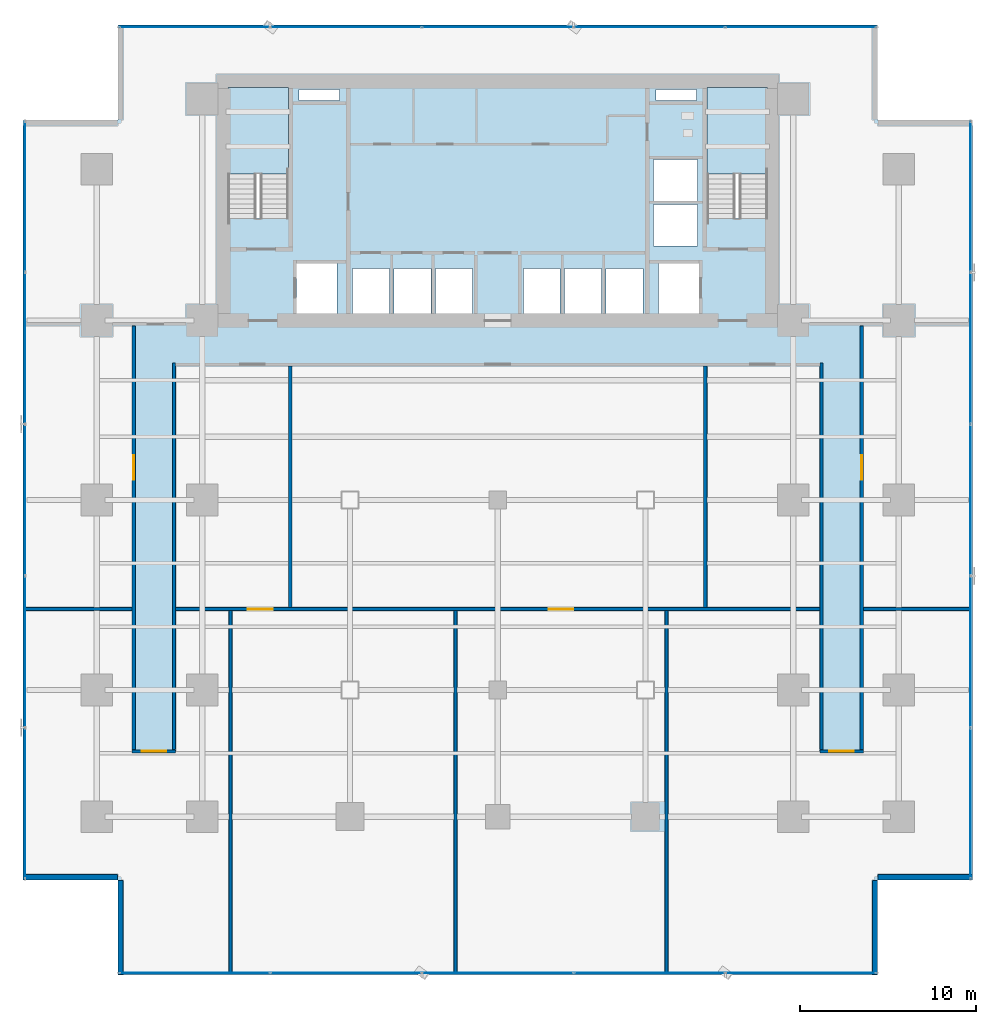
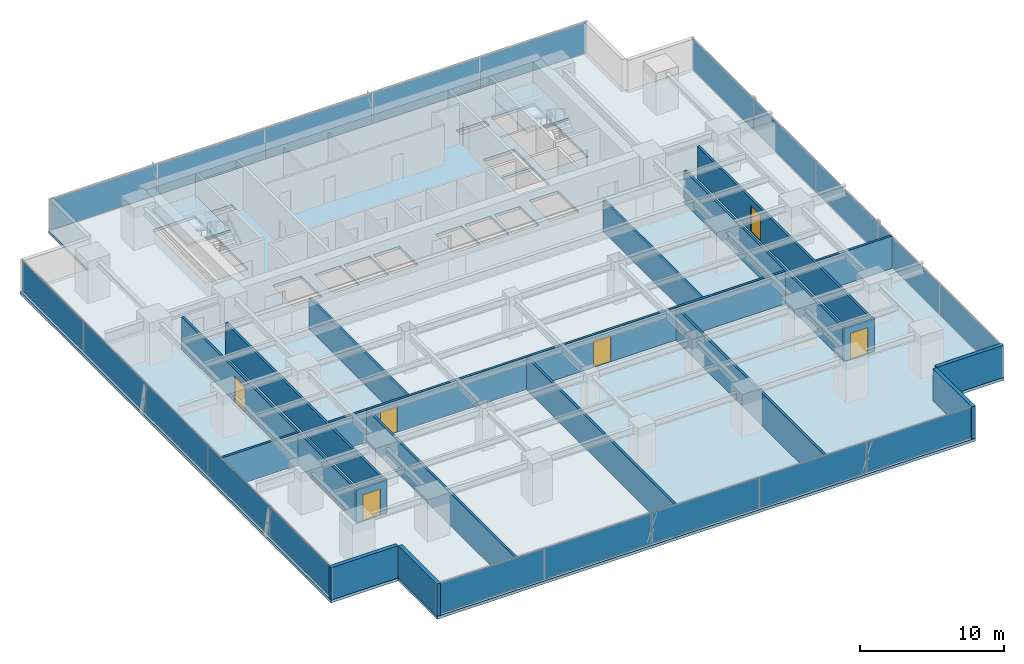
# One storey, part 24 of 33: 20 plates, 18 walls, 6 doors, 3 slabs, 6 openings, 6 elements without a shape of their own.
"""IFC4 building model written with IfcOpenShell, lengths in metres."""

from ifc_helpers import new_model, si_unit, direction, frame, frame_2d, origin, origin_2d, place, context, subcontext, project, spatial, polyline, rectangle, outline, extrude, source, transform, mapped, material, layer, layer_set, type_object, element, fill, aggregate, save


model = new_model("IFC4")

# Units and contexts
model_context = context("Model", 3, precision=1e-05, world=origin(), true_north=direction((0.0, 1.0)))
body_context = subcontext(model_context, "Body", "Model", "MODEL_VIEW")
ifc_project = project(units=[si_unit("LENGTHUNIT", "METRE"), si_unit("AREAUNIT", "SQUARE_METRE"), si_unit("VOLUMEUNIT", "CUBIC_METRE"), si_unit("PLANEANGLEUNIT", "RADIAN"), si_unit("MASSUNIT", "GRAM", prefix="KILO")], contexts=[model_context])

# Site, building, storey
site_placement = place(None, origin())
site = spatial("IfcSite", under=ifc_project, at=site_placement, CompositionType="ELEMENT")
building_placement = place(site_placement, origin())
building = spatial("IfcBuilding", under=site, at=building_placement, Name="Sumidabori Civic Tower", CompositionType="ELEMENT")
storey_placement = place(building_placement, frame((0.0, 0.0, 63.199951171875)))
storey = spatial("IfcBuildingStorey", under=building, at=storey_placement, Name="L16", CompositionType="ELEMENT", Elevation=63.199951171875)

# Stair, slab
ifc_material_1 = material(Name="Concrete C40/50", Category="concrete")
stair_type = type_object("IfcStairType", Name="ST-CORE-1600", PredefinedType="HALF_TURN_STAIR", material=ifc_material_1)
stair_1_placement = place(storey_placement, origin())
stair_1 = element("IfcStair", 1, at=stair_1_placement, inside=storey, type_object=stair_type, Name="L16 ST-1", PredefinedType="HALF_TURN_STAIR")
ifc_layer_1 = layer(ifc_material_1, 0.199951171875, Name="Concrete C40/50")
ifc_layer_set_1 = layer_set([ifc_layer_1], Name="Concrete C40/50")
slab_type_1 = type_object("IfcSlabType", Name="SL-LAND-200", PredefinedType="LANDING", material=ifc_layer_set_1)
slab_1_placement = place(storey_placement, frame((0.0, 0.0, 1.60009765625)))
slab_1 = element("IfcSlab", 2, at=slab_1_placement, type_object=slab_type_1, Name="ST-1 landing 1", PredefinedType="LANDING", context=body_context, shape_type="SweptSolid", body=[
    extrude(outline(polyline([(-11.89990234375, 18.52001953125), (-11.89990234375, 23.449951171875), (-15.340087890625, 23.449951171875), (-15.340087890625, 18.52001953125), (-11.89990234375, 18.52001953125)])), origin(), (0.0, 0.0, 1.0), 0.199951171875),
])
aggregate(stair_1, [slab_1])

stair_2_placement = place(storey_placement, origin())
stair_2 = element("IfcStair", 3, at=stair_2_placement, inside=storey, type_object=stair_type, Name="L16 ST-2", PredefinedType="HALF_TURN_STAIR")
slab_2_placement = place(storey_placement, frame((0.0, 0.0, 1.60009765625)))
slab_2 = element("IfcSlab", 4, at=slab_2_placement, type_object=slab_type_1, Name="ST-2 landing 1", PredefinedType="LANDING", context=body_context, shape_type="SweptSolid", body=[
    extrude(outline(polyline([(15.340087890625, 18.52001953125), (15.340087890625, 23.449951171875), (11.89990234375, 23.449951171875), (11.89990234375, 18.52001953125), (15.340087890625, 18.52001953125)])), origin(), (0.0, 0.0, 1.0), 0.199951171875),
])
aggregate(stair_2, [slab_2])

# Slab
ifc_layer_2 = layer(ifc_material_1, 0.239990234375, Name="Concrete C40/50")
ifc_layer_set_2 = layer_set([ifc_layer_2], Name="Concrete C40/50")
slab_type_2 = type_object("IfcSlabType", Name="SL-Z1-240", PredefinedType="FLOOR", material=ifc_layer_set_2)
slab_3_placement = place(storey_placement, frame((0.0, 0.0, -0.239990234375)))
element("IfcSlab", 5, at=slab_3_placement, inside=storey, type_object=slab_type_2, Name="Structural Slab L16", PredefinedType="FLOOR", context=body_context, shape_type="SweptSolid", body=[
    extrude(outline(polyline([(-21.60009765625, -27.0), (21.60009765625, -27.0), (21.60009765625, -21.60009765625), (27.0, -21.60009765625), (27.0, 21.60009765625), (21.60009765625, 21.60009765625), (21.60009765625, 27.0), (-21.60009765625, 27.0), (-21.60009765625, 21.60009765625), (-27.0, 21.60009765625), (-27.0, -21.60009765625), (-21.60009765625, -21.60009765625), (-21.60009765625, -27.0)]), holes=[polyline([(-11.89990234375, 16.0), (-11.89990234375, 23.449951171875), (-15.340087890625, 23.449951171875), (-15.340087890625, 16.0), (-11.89990234375, 16.0)]), polyline([(15.340087890625, 16.0), (15.340087890625, 23.449951171875), (11.89990234375, 23.449951171875), (11.89990234375, 16.0), (15.340087890625, 16.0)]), polyline([(-11.449951171875, 10.550048828125), (-9.14990234375, 10.550048828125), (-9.14990234375, 13.449951171875), (-11.449951171875, 13.449951171875), (-11.449951171875, 10.550048828125)]), polyline([(9.14990234375, 10.550048828125), (11.449951171875, 10.550048828125), (11.449951171875, 13.449951171875), (9.14990234375, 13.449951171875), (9.14990234375, 10.550048828125)]), polyline([(-8.25, 10.550048828125), (-6.14990234375, 10.550048828125), (-6.14990234375, 13.14990234375), (-8.25, 13.14990234375), (-8.25, 10.550048828125)]), polyline([(-5.89990234375, 10.550048828125), (-3.800048828125, 10.550048828125), (-3.800048828125, 13.14990234375), (-5.89990234375, 13.14990234375), (-5.89990234375, 10.550048828125)]), polyline([(-3.550048828125, 10.550048828125), (-1.449951171875, 10.550048828125), (-1.449951171875, 13.14990234375), (-3.550048828125, 13.14990234375), (-3.550048828125, 10.550048828125)]), polyline([(1.449951171875, 10.550048828125), (3.550048828125, 10.550048828125), (3.550048828125, 13.14990234375), (1.449951171875, 13.14990234375), (1.449951171875, 10.550048828125)]), polyline([(3.800048828125, 10.550048828125), (5.89990234375, 10.550048828125), (5.89990234375, 13.14990234375), (3.800048828125, 13.14990234375), (3.800048828125, 10.550048828125)]), polyline([(6.14990234375, 10.550048828125), (8.25, 10.550048828125), (8.25, 13.14990234375), (6.14990234375, 13.14990234375), (6.14990234375, 10.550048828125)]), polyline([(8.85009765625, 14.449951171875), (11.35009765625, 14.449951171875), (11.35009765625, 16.800048828125), (8.85009765625, 16.800048828125), (8.85009765625, 14.449951171875)]), polyline([(8.85009765625, 17.0), (11.35009765625, 17.0), (11.35009765625, 19.35009765625), (8.85009765625, 19.35009765625), (8.85009765625, 17.0)]), polyline([(-11.300048828125, 22.719970703125), (-9.0, 22.719970703125), (-9.0, 23.35009765625), (-11.300048828125, 23.35009765625), (-11.300048828125, 22.719970703125)]), polyline([(9.0, 22.719970703125), (11.300048828125, 22.719970703125), (11.300048828125, 23.35009765625), (9.0, 23.35009765625), (9.0, 22.719970703125)])]), origin(), (0.0, 0.0, 1.0), 0.239990234375),
])

# Curtain wall, plates
ifc_material_2 = material(Name="Anodised Bronze Aluminium AW-6063-T6", Category="aluminium")
ifc_layer_3 = layer(ifc_material_2, 0.179931640625, Name="Anodised Bronze Aluminium AW-6063-T6")
ifc_layer_set_3 = layer_set([ifc_layer_3], Name="Anodised Bronze Aluminium AW-6063-T6")
curtain_wall_type = type_object("IfcCurtainWallType", Name="CW-SYS-2", PredefinedType="NOTDEFINED", material=ifc_layer_set_3)
curtain_wall_1_placement = place(storey_placement, origin())
curtain_wall_1 = element("IfcCurtainWall", 6, at=curtain_wall_1_placement, inside=storey, type_object=curtain_wall_type, Name="Curtain Wall CW:L16:R01", PredefinedType="NOTDEFINED")
ifc_material_3 = material(Name="Low-E Solar-Control Vision Glazing", Category="glass")
ifc_layer_4 = layer(ifc_material_3, 0.028076171875, Name="Low-E Solar-Control Vision Glazing")
ifc_layer_set_4 = layer_set([ifc_layer_4], Name="Low-E Solar-Control Vision Glazing")
plate_type = type_object("IfcPlateType", Name="CW-PNL-28", PredefinedType="CURTAIN_PANEL", material=ifc_layer_set_4)
shared_shape_1 = source(origin(), body_context, "Body", "SweptSolid", [
    extrude(rectangle(XDim=8.52294921875, YDim=0.028076171875, at=origin_2d()), origin(), (0.0, 0.0, 1.0), 2.610107421875),
])
plate_1_placement = place(storey_placement, frame((-17.238525390625, -26.8798828125, 0.06494140625), z_axis=(0.0, 0.0, 1.0), x_axis=(1.0, 0.0, 0.0)))
plate_1 = element("IfcPlate", 7, at=plate_1_placement, type_object=plate_type, Name="CW-2 panel 1.1", PredefinedType="CURTAIN_PANEL", context=body_context, shape_type="MappedRepresentation", body=[
    mapped(shared_shape_1, transform((0.0, 0.0, 0.0), x_axis=(1.0, 0.0, 0.0), y_axis=(0.0, 1.0, 0.0), z_axis=(0.0, 0.0, 1.0), scale=1.0)),
])
plate_2_placement = place(storey_placement, frame((17.238525390625, -26.8798828125, 0.06494140625), z_axis=(0.0, 0.0, 1.0), x_axis=(1.0, 0.0, 0.0)))
plate_2 = element("IfcPlate", 8, at=plate_2_placement, type_object=plate_type, Name="CW-2 panel 5.1", PredefinedType="CURTAIN_PANEL", context=body_context, shape_type="MappedRepresentation", body=[
    mapped(shared_shape_1, transform((0.0, 0.0, 0.0), x_axis=(1.0, 0.0, 0.0), y_axis=(0.0, 1.0, 0.0), z_axis=(0.0, 0.0, 1.0), scale=1.0)),
])

curtain_wall_2_placement = place(storey_placement, origin())
curtain_wall_2 = element("IfcCurtainWall", 9, at=curtain_wall_2_placement, inside=storey, type_object=curtain_wall_type, Name="Curtain Wall CW:L16:R04", PredefinedType="NOTDEFINED")
plate_3_placement = place(storey_placement, frame((26.8798828125, -17.238525390625, 0.06494140625), z_axis=(0.0, 0.0, 1.0), x_axis=(0.0, 1.0, 0.0)))
plate_3 = element("IfcPlate", 10, at=plate_3_placement, type_object=plate_type, Name="CW-2 panel 1.1", PredefinedType="CURTAIN_PANEL", context=body_context, shape_type="MappedRepresentation", body=[
    mapped(shared_shape_1, transform((0.0, 0.0, 0.0), x_axis=(1.0, 0.0, 0.0), y_axis=(0.0, 1.0, 0.0), z_axis=(0.0, 0.0, 1.0), scale=1.0)),
])
plate_4_placement = place(storey_placement, frame((26.8798828125, 17.238525390625, 0.06494140625), z_axis=(0.0, 0.0, 1.0), x_axis=(0.0, 1.0, 0.0)))
plate_4 = element("IfcPlate", 11, at=plate_4_placement, type_object=plate_type, Name="CW-2 panel 5.1", PredefinedType="CURTAIN_PANEL", context=body_context, shape_type="MappedRepresentation", body=[
    mapped(shared_shape_1, transform((0.0, 0.0, 0.0), x_axis=(1.0, 0.0, 0.0), y_axis=(0.0, 1.0, 0.0), z_axis=(0.0, 0.0, 1.0), scale=1.0)),
])

curtain_wall_3_placement = place(storey_placement, origin())
curtain_wall_3 = element("IfcCurtainWall", 12, at=curtain_wall_3_placement, inside=storey, type_object=curtain_wall_type, Name="Curtain Wall CW:L16:R07", PredefinedType="NOTDEFINED")
plate_5_placement = place(storey_placement, frame((17.238525390625, 26.8798828125, 0.06494140625), z_axis=(0.0, 0.0, 1.0), x_axis=(-1.0, 0.0, 0.0)))
plate_5 = element("IfcPlate", 13, at=plate_5_placement, type_object=plate_type, Name="CW-2 panel 1.1", PredefinedType="CURTAIN_PANEL", context=body_context, shape_type="MappedRepresentation", body=[
    mapped(shared_shape_1, transform((0.0, 0.0, 0.0), x_axis=(1.0, 0.0, 0.0), y_axis=(0.0, 1.0, 0.0), z_axis=(0.0, 0.0, 1.0), scale=1.0)),
])
plate_6_placement = place(storey_placement, frame((-17.238525390625, 26.8798828125, 0.06494140625), z_axis=(0.0, 0.0, 1.0), x_axis=(-1.0, 0.0, 0.0)))
plate_6 = element("IfcPlate", 14, at=plate_6_placement, type_object=plate_type, Name="CW-2 panel 5.1", PredefinedType="CURTAIN_PANEL", context=body_context, shape_type="MappedRepresentation", body=[
    mapped(shared_shape_1, transform((0.0, 0.0, 0.0), x_axis=(1.0, 0.0, 0.0), y_axis=(0.0, 1.0, 0.0), z_axis=(0.0, 0.0, 1.0), scale=1.0)),
])

curtain_wall_4_placement = place(storey_placement, origin())
curtain_wall_4 = element("IfcCurtainWall", 15, at=curtain_wall_4_placement, inside=storey, type_object=curtain_wall_type, Name="Curtain Wall CW:L16:R10", PredefinedType="NOTDEFINED")
plate_7_placement = place(storey_placement, frame((-26.8798828125, 17.238525390625, 0.06494140625), z_axis=(0.0, 0.0, 1.0), x_axis=(0.0, -1.0, 0.0)))
plate_7 = element("IfcPlate", 16, at=plate_7_placement, type_object=plate_type, Name="CW-2 panel 1.1", PredefinedType="CURTAIN_PANEL", context=body_context, shape_type="MappedRepresentation", body=[
    mapped(shared_shape_1, transform((0.0, 0.0, 0.0), x_axis=(1.0, 0.0, 0.0), y_axis=(0.0, 1.0, 0.0), z_axis=(0.0, 0.0, 1.0), scale=1.0)),
])
plate_8_placement = place(storey_placement, frame((-26.8798828125, -17.238525390625, 0.06494140625), z_axis=(0.0, 0.0, 1.0), x_axis=(0.0, -1.0, 0.0)))
plate_8 = element("IfcPlate", 17, at=plate_8_placement, type_object=plate_type, Name="CW-2 panel 5.1", PredefinedType="CURTAIN_PANEL", context=body_context, shape_type="MappedRepresentation", body=[
    mapped(shared_shape_1, transform((0.0, 0.0, 0.0), x_axis=(1.0, 0.0, 0.0), y_axis=(0.0, 1.0, 0.0), z_axis=(0.0, 0.0, 1.0), scale=1.0)),
])

# Plate
shared_shape_2 = source(origin(), body_context, "Body", "SweptSolid", [
    extrude(rectangle(XDim=8.55810546875, YDim=0.028076171875, at=origin_2d()), origin(), (0.0, 0.0, 1.0), 2.610107421875),
])
plate_9_placement = place(storey_placement, frame((-8.6279296875, -26.8798828125, 0.06494140625), z_axis=(0.0, 0.0, 1.0), x_axis=(1.0, 0.0, 0.0)))
plate_9 = element("IfcPlate", 18, at=plate_9_placement, type_object=plate_type, Name="CW-2 panel 2.1", PredefinedType="CURTAIN_PANEL", context=body_context, shape_type="MappedRepresentation", body=[
    mapped(shared_shape_2, transform((0.0, 0.0, 0.0), x_axis=(1.0, 0.0, 0.0), y_axis=(0.0, 1.0, 0.0), z_axis=(0.0, 0.0, 1.0), scale=1.0)),
])

plate_10_placement = place(storey_placement, frame((0.0, -26.8798828125, 0.06494140625), z_axis=(0.0, 0.0, 1.0), x_axis=(1.0, 0.0, 0.0)))
plate_10 = element("IfcPlate", 19, at=plate_10_placement, type_object=plate_type, Name="CW-2 panel 3.1", PredefinedType="CURTAIN_PANEL", context=body_context, shape_type="MappedRepresentation", body=[
    mapped(shared_shape_2, transform((0.0, 0.0, 0.0), x_axis=(1.0, 0.0, 0.0), y_axis=(0.0, 1.0, 0.0), z_axis=(0.0, 0.0, 1.0), scale=1.0)),
])

plate_11_placement = place(storey_placement, frame((8.6279296875, -26.8798828125, 0.06494140625), z_axis=(0.0, 0.0, 1.0), x_axis=(1.0, 0.0, 0.0)))
plate_11 = element("IfcPlate", 20, at=plate_11_placement, type_object=plate_type, Name="CW-2 panel 4.1", PredefinedType="CURTAIN_PANEL", context=body_context, shape_type="MappedRepresentation", body=[
    mapped(shared_shape_2, transform((0.0, 0.0, 0.0), x_axis=(1.0, 0.0, 0.0), y_axis=(0.0, 1.0, 0.0), z_axis=(0.0, 0.0, 1.0), scale=1.0)),
])

aggregate(curtain_wall_1, [plate_1, plate_9, plate_10, plate_11, plate_2])

plate_12_placement = place(storey_placement, frame((26.8798828125, -8.6279296875, 0.06494140625), z_axis=(0.0, 0.0, 1.0), x_axis=(0.0, 1.0, 0.0)))
plate_12 = element("IfcPlate", 21, at=plate_12_placement, type_object=plate_type, Name="CW-2 panel 2.1", PredefinedType="CURTAIN_PANEL", context=body_context, shape_type="MappedRepresentation", body=[
    mapped(shared_shape_2, transform((0.0, 0.0, 0.0), x_axis=(1.0, 0.0, 0.0), y_axis=(0.0, 1.0, 0.0), z_axis=(0.0, 0.0, 1.0), scale=1.0)),
])

plate_13_placement = place(storey_placement, frame((26.8798828125, 0.0, 0.06494140625), z_axis=(0.0, 0.0, 1.0), x_axis=(0.0, 1.0, 0.0)))
plate_13 = element("IfcPlate", 22, at=plate_13_placement, type_object=plate_type, Name="CW-2 panel 3.1", PredefinedType="CURTAIN_PANEL", context=body_context, shape_type="MappedRepresentation", body=[
    mapped(shared_shape_2, transform((0.0, 0.0, 0.0), x_axis=(1.0, 0.0, 0.0), y_axis=(0.0, 1.0, 0.0), z_axis=(0.0, 0.0, 1.0), scale=1.0)),
])

plate_14_placement = place(storey_placement, frame((26.8798828125, 8.6279296875, 0.06494140625), z_axis=(0.0, 0.0, 1.0), x_axis=(0.0, 1.0, 0.0)))
plate_14 = element("IfcPlate", 23, at=plate_14_placement, type_object=plate_type, Name="CW-2 panel 4.1", PredefinedType="CURTAIN_PANEL", context=body_context, shape_type="MappedRepresentation", body=[
    mapped(shared_shape_2, transform((0.0, 0.0, 0.0), x_axis=(1.0, 0.0, 0.0), y_axis=(0.0, 1.0, 0.0), z_axis=(0.0, 0.0, 1.0), scale=1.0)),
])

aggregate(curtain_wall_2, [plate_3, plate_12, plate_13, plate_14, plate_4])

plate_15_placement = place(storey_placement, frame((8.6279296875, 26.8798828125, 0.06494140625), z_axis=(0.0, 0.0, 1.0), x_axis=(-1.0, 0.0, 0.0)))
plate_15 = element("IfcPlate", 24, at=plate_15_placement, type_object=plate_type, Name="CW-2 panel 2.1", PredefinedType="CURTAIN_PANEL", context=body_context, shape_type="MappedRepresentation", body=[
    mapped(shared_shape_2, transform((0.0, 0.0, 0.0), x_axis=(1.0, 0.0, 0.0), y_axis=(0.0, 1.0, 0.0), z_axis=(0.0, 0.0, 1.0), scale=1.0)),
])

plate_16_placement = place(storey_placement, frame((0.0, 26.8798828125, 0.06494140625), z_axis=(0.0, 0.0, 1.0), x_axis=(-1.0, 0.0, 0.0)))
plate_16 = element("IfcPlate", 25, at=plate_16_placement, type_object=plate_type, Name="CW-2 panel 3.1", PredefinedType="CURTAIN_PANEL", context=body_context, shape_type="MappedRepresentation", body=[
    mapped(shared_shape_2, transform((0.0, 0.0, 0.0), x_axis=(1.0, 0.0, 0.0), y_axis=(0.0, 1.0, 0.0), z_axis=(0.0, 0.0, 1.0), scale=1.0)),
])

plate_17_placement = place(storey_placement, frame((-8.6279296875, 26.8798828125, 0.06494140625), z_axis=(0.0, 0.0, 1.0), x_axis=(-1.0, 0.0, 0.0)))
plate_17 = element("IfcPlate", 26, at=plate_17_placement, type_object=plate_type, Name="CW-2 panel 4.1", PredefinedType="CURTAIN_PANEL", context=body_context, shape_type="MappedRepresentation", body=[
    mapped(shared_shape_2, transform((0.0, 0.0, 0.0), x_axis=(1.0, 0.0, 0.0), y_axis=(0.0, 1.0, 0.0), z_axis=(0.0, 0.0, 1.0), scale=1.0)),
])

aggregate(curtain_wall_3, [plate_5, plate_15, plate_16, plate_17, plate_6])

plate_18_placement = place(storey_placement, frame((-26.8798828125, 8.6279296875, 0.06494140625), z_axis=(0.0, 0.0, 1.0), x_axis=(0.0, -1.0, 0.0)))
plate_18 = element("IfcPlate", 27, at=plate_18_placement, type_object=plate_type, Name="CW-2 panel 2.1", PredefinedType="CURTAIN_PANEL", context=body_context, shape_type="MappedRepresentation", body=[
    mapped(shared_shape_2, transform((0.0, 0.0, 0.0), x_axis=(1.0, 0.0, 0.0), y_axis=(0.0, 1.0, 0.0), z_axis=(0.0, 0.0, 1.0), scale=1.0)),
])

plate_19_placement = place(storey_placement, frame((-26.8798828125, 0.0, 0.06494140625), z_axis=(0.0, 0.0, 1.0), x_axis=(0.0, -1.0, 0.0)))
plate_19 = element("IfcPlate", 28, at=plate_19_placement, type_object=plate_type, Name="CW-2 panel 3.1", PredefinedType="CURTAIN_PANEL", context=body_context, shape_type="MappedRepresentation", body=[
    mapped(shared_shape_2, transform((0.0, 0.0, 0.0), x_axis=(1.0, 0.0, 0.0), y_axis=(0.0, 1.0, 0.0), z_axis=(0.0, 0.0, 1.0), scale=1.0)),
])

plate_20_placement = place(storey_placement, frame((-26.8798828125, -8.6279296875, 0.06494140625), z_axis=(0.0, 0.0, 1.0), x_axis=(0.0, -1.0, 0.0)))
plate_20 = element("IfcPlate", 29, at=plate_20_placement, type_object=plate_type, Name="CW-2 panel 4.1", PredefinedType="CURTAIN_PANEL", context=body_context, shape_type="MappedRepresentation", body=[
    mapped(shared_shape_2, transform((0.0, 0.0, 0.0), x_axis=(1.0, 0.0, 0.0), y_axis=(0.0, 1.0, 0.0), z_axis=(0.0, 0.0, 1.0), scale=1.0)),
])

aggregate(curtain_wall_4, [plate_7, plate_18, plate_19, plate_20, plate_8])

# Walls
ifc_material_4 = material(Name="Precast concrete C40/50", Category="concrete")
ifc_layer_5 = layer(ifc_material_4, 0.300048828125, Name="Precast concrete C40/50")
ifc_layer_set_5 = layer_set([ifc_layer_5], Name="Precast concrete C40/50")
wall_type_1 = type_object("IfcWallType", Name="WL-EXT-POD300", PredefinedType="STANDARD", material=ifc_layer_set_5)
shared_shape_3 = source(origin(), body_context, "Body", "SweptSolid", [
    extrude(rectangle(XDim=5.35986328125, YDim=0.300048828125, at=frame_2d((2.679931640625, 0.0))), origin(), (0.0, 0.0, 1.0), 2.739990234375),
])
for number, where, z_axis, x_axis, name in (
    (30, (21.449951171875, -26.97998046875, 0.0), (0.0, 0.0, 1.0), (0.0, 1.0, 0.0), "Notched Corner Spandrel Band L16-02"),
    (31, (21.6201171875, -21.449951171875, 0.0), (0.0, 0.0, 1.0), (1.0, 0.0, 0.0), "Notched Corner Spandrel Band L16-03"),
    (32, (-26.97998046875, -21.449951171875, 0.0), (0.0, 0.0, 1.0), (1.0, 0.0, 0.0), "Notched Corner Spandrel Band L16-11"),
    (33, (-21.449951171875, -21.6201171875, 0.0), (0.0, 0.0, 1.0), (0.0, -1.0, 0.0), "Notched Corner Spandrel Band L16-12"),
):
    element("IfcWall", number, at=place(storey_placement, frame(where, z_axis=z_axis, x_axis=x_axis)), inside=storey, type_object=wall_type_1, Name=name, PredefinedType="STANDARD", context=body_context, shape_type="MappedRepresentation", body=[
        mapped(shared_shape_3, transform((0.0, 0.0, 0.0), x_axis=(1.0, 0.0, 0.0), y_axis=(0.0, 1.0, 0.0), z_axis=(0.0, 0.0, 1.0), scale=1.0)),
    ])

# Wall, opening, door
ifc_material_5 = material(Name="Gypsum Plasterboard Acoustic Partition")
ifc_layer_6 = layer(ifc_material_5, 0.179931640625, Name="Gypsum Plasterboard Acoustic Partition")
ifc_layer_set_6 = layer_set([ifc_layer_6], Name="Gypsum Plasterboard Acoustic Partition")
wall_type_2 = type_object("IfcWallType", Name="WL-PART-180", PredefinedType="PARTITIONING", material=ifc_layer_set_6)
shared_shape_4 = source(origin(), body_context, "Body", "SweptSolid", [
    extrude(rectangle(XDim=2.4599609375, YDim=0.179931640625, at=frame_2d((1.22998046875, 0.0))), origin(), (0.0, 0.0, 1.0), 2.844970703125),
])
wall_1_placement = place(storey_placement, frame((-20.780029296875, -14.2900390625, 0.0), z_axis=(0.0, 0.0, 1.0), x_axis=(1.0, 0.0, 0.0)))
wall_1 = element("IfcWall", 34, at=wall_1_placement, inside=storey, type_object=wall_type_2, Name="Interior Partition WL:L16:CORR-CAP-W", PredefinedType="PARTITIONING", context=body_context, shape_type="MappedRepresentation", body=[
    mapped(shared_shape_4, transform((0.0, 0.0, 0.0), x_axis=(1.0, 0.0, 0.0), y_axis=(0.0, 1.0, 0.0), z_axis=(0.0, 0.0, 1.0), scale=1.0)),
])
opening_1_placement = place(wall_1_placement, frame((0.5400390625, 0.0, 0.0)))
opening_1 = element("IfcOpeningElement", 35, at=opening_1_placement, cuts=wall_1, Name="Opening DR-5", PredefinedType="OPENING", context=body_context, shape_type="SweptSolid", body=[
    extrude(rectangle(XDim=1.39990234375, YDim=2.199951171875, at=frame_2d((0.699951171875, 1.10009765625))), frame((0.0, 0.10205078125, 0.0), z_axis=(0.0, -1.0, 0.0), x_axis=(1.0, 0.0, 0.0)), (0.0, 0.0, 1.0), 0.203857421875),
])
door_type = type_object("IfcDoorType", Name="DR-DBL-1400", OperationType="DOUBLE_DOOR_SINGLE_SWING", PredefinedType="DOOR", material=ifc_material_2)
shared_shape_5 = source(origin(), body_context, "Body", "SweptSolid", [
    extrude(rectangle(XDim=1.39990234375, YDim=2.199951171875, at=frame_2d((0.699951171875, 1.10009765625))), frame((0.0, 0.02490234375, 0.0), z_axis=(0.0, -1.0, 0.0), x_axis=(1.0, 0.0, 0.0)), (0.0, 0.0, 1.0), 0.050048828125),
])
door_1_placement = place(opening_1_placement, origin())
door_1 = element("IfcDoor", 36, at=door_1_placement, inside=storey, type_object=door_type, Name="Door DR:L16:D07", OperationType="DOUBLE_DOOR_SINGLE_SWING", OverallHeight=2.199951171875, OverallWidth=1.39990234375, PredefinedType="DOOR", context=body_context, shape_type="MappedRepresentation", body=[
    mapped(shared_shape_5, transform((0.0, 0.0, 0.0), x_axis=(1.0, 0.0, 0.0), y_axis=(0.0, 1.0, 0.0), z_axis=(0.0, 0.0, 1.0), scale=1.0)),
])
fill(opening_1, door_1)

wall_2_placement = place(storey_placement, frame((18.320068359375, -14.2900390625, 0.0), z_axis=(0.0, 0.0, 1.0), x_axis=(1.0, 0.0, 0.0)))
wall_2 = element("IfcWall", 37, at=wall_2_placement, inside=storey, type_object=wall_type_2, Name="Interior Partition WL:L16:CORR-CAP-E", PredefinedType="PARTITIONING", context=body_context, shape_type="MappedRepresentation", body=[
    mapped(shared_shape_4, transform((0.0, 0.0, 0.0), x_axis=(1.0, 0.0, 0.0), y_axis=(0.0, 1.0, 0.0), z_axis=(0.0, 0.0, 1.0), scale=1.0)),
])
opening_2_placement = place(wall_2_placement, frame((0.52001953125, 0.0, 0.0)))
opening_2 = element("IfcOpeningElement", 38, at=opening_2_placement, cuts=wall_2, Name="Opening DR-5", PredefinedType="OPENING", context=body_context, shape_type="SweptSolid", body=[
    extrude(rectangle(XDim=1.39990234375, YDim=2.199951171875, at=frame_2d((0.699951171875, 1.10009765625))), frame((0.0, 0.10205078125, 0.0), z_axis=(0.0, -1.0, 0.0), x_axis=(1.0, 0.0, 0.0)), (0.0, 0.0, 1.0), 0.203857421875),
])
door_2_placement = place(opening_2_placement, origin())
door_2 = element("IfcDoor", 39, at=door_2_placement, inside=storey, type_object=door_type, Name="Door DR:L16:D08", OperationType="DOUBLE_DOOR_SINGLE_SWING", OverallHeight=2.199951171875, OverallWidth=1.39990234375, PredefinedType="DOOR", context=body_context, shape_type="MappedRepresentation", body=[
    mapped(shared_shape_5, transform((0.0, 0.0, 0.0), x_axis=(1.0, 0.0, 0.0), y_axis=(0.0, 1.0, 0.0), z_axis=(0.0, 0.0, 1.0), scale=1.0)),
])
fill(opening_2, door_2)

shared_shape_6 = source(origin(), body_context, "Body", "SweptSolid", [
    extrude(rectangle(XDim=24.10009765625, YDim=0.179931640625, at=frame_2d((12.050048828125, 0.0))), origin(), (0.0, 0.0, 1.0), 2.7451171875),
])
wall_3_placement = place(storey_placement, frame((-20.68994140625, -14.195068359375, 0.0), z_axis=(0.0, 0.0, 1.0), x_axis=(0.0, 1.0, 0.0)))
wall_3 = element("IfcWall", 40, at=wall_3_placement, inside=storey, type_object=wall_type_2, Name="Interior Partition WL:L16:CORR-VW-OUT", PredefinedType="PARTITIONING", context=body_context, shape_type="MappedRepresentation", body=[
    mapped(shared_shape_6, transform((0.0, 0.0, 0.0), x_axis=(1.0, 0.0, 0.0), y_axis=(0.0, 1.0, 0.0), z_axis=(0.0, 0.0, 1.0), scale=1.0)),
])
opening_3_placement = place(wall_3_placement, frame((15.33251953125, 0.0, 0.0)))
opening_3 = element("IfcOpeningElement", 41, at=opening_3_placement, cuts=wall_3, Name="Opening DR-5", PredefinedType="OPENING", context=body_context, shape_type="SweptSolid", body=[
    extrude(rectangle(XDim=1.39990234375, YDim=2.199951171875, at=frame_2d((0.699951171875, 1.10009765625))), frame((0.0, 0.10205078125, 0.0), z_axis=(0.0, -1.0, 0.0), x_axis=(1.0, 0.0, 0.0)), (0.0, 0.0, 1.0), 0.203857421875),
])
door_3_placement = place(opening_3_placement, origin())
door_3 = element("IfcDoor", 42, at=door_3_placement, inside=storey, type_object=door_type, Name="Door DR:L16:D02", OperationType="DOUBLE_DOOR_SINGLE_SWING", OverallHeight=2.199951171875, OverallWidth=1.39990234375, PredefinedType="DOOR", context=body_context, shape_type="MappedRepresentation", body=[
    mapped(shared_shape_5, transform((0.0, 0.0, 0.0), x_axis=(1.0, 0.0, 0.0), y_axis=(0.0, 1.0, 0.0), z_axis=(0.0, 0.0, 1.0), scale=1.0)),
])
fill(opening_3, door_3)

wall_4_placement = place(storey_placement, frame((20.68994140625, -14.195068359375, 0.0), z_axis=(0.0, 0.0, 1.0), x_axis=(0.0, 1.0, 0.0)))
wall_4 = element("IfcWall", 43, at=wall_4_placement, inside=storey, type_object=wall_type_2, Name="Interior Partition WL:L16:CORR-VE-OUT", PredefinedType="PARTITIONING", context=body_context, shape_type="MappedRepresentation", body=[
    mapped(shared_shape_6, transform((0.0, 0.0, 0.0), x_axis=(1.0, 0.0, 0.0), y_axis=(0.0, 1.0, 0.0), z_axis=(0.0, 0.0, 1.0), scale=1.0)),
])
opening_4_placement = place(wall_4_placement, frame((15.33251953125, 0.0, 0.0)))
opening_4 = element("IfcOpeningElement", 44, at=opening_4_placement, cuts=wall_4, Name="Opening DR-5", PredefinedType="OPENING", context=body_context, shape_type="SweptSolid", body=[
    extrude(rectangle(XDim=1.39990234375, YDim=2.199951171875, at=frame_2d((0.699951171875, 1.10009765625))), frame((0.0, 0.10205078125, 0.0), z_axis=(0.0, -1.0, 0.0), x_axis=(1.0, 0.0, 0.0)), (0.0, 0.0, 1.0), 0.203857421875),
])
door_4_placement = place(opening_4_placement, origin())
door_4 = element("IfcDoor", 45, at=door_4_placement, inside=storey, type_object=door_type, Name="Door DR:L16:D03", OperationType="DOUBLE_DOOR_SINGLE_SWING", OverallHeight=2.199951171875, OverallWidth=1.39990234375, PredefinedType="DOOR", context=body_context, shape_type="MappedRepresentation", body=[
    mapped(shared_shape_5, transform((0.0, 0.0, 0.0), x_axis=(1.0, 0.0, 0.0), y_axis=(0.0, 1.0, 0.0), z_axis=(0.0, 0.0, 1.0), scale=1.0)),
])
fill(opening_4, door_4)

# Walls
shared_shape_7 = source(origin(), body_context, "Body", "SweptSolid", [
    extrude(rectangle(XDim=21.9951171875, YDim=0.179931640625, at=frame_2d((10.99755859375, 0.0))), origin(), (0.0, 0.0, 1.0), 2.7451171875),
])
for number, where, z_axis, x_axis, name in (
    (46, (-18.409912109375, -14.195068359375, 0.0), (0.0, 0.0, 1.0), (0.0, 1.0, 0.0), "Interior Partition WL:L16:CORR-VW-IN"),
    (47, (18.409912109375, -14.195068359375, 0.0), (0.0, 0.0, 1.0), (0.0, 1.0, 0.0), "Interior Partition WL:L16:CORR-VE-IN"),
):
    element("IfcWall", number, at=place(storey_placement, frame(where, z_axis=z_axis, x_axis=x_axis)), inside=storey, type_object=wall_type_2, Name=name, PredefinedType="PARTITIONING", context=body_context, shape_type="MappedRepresentation", body=[
        mapped(shared_shape_7, transform((0.0, 0.0, 0.0), x_axis=(1.0, 0.0, 0.0), y_axis=(0.0, 1.0, 0.0), z_axis=(0.0, 0.0, 1.0), scale=1.0)),
    ])
shared_shape_8 = source(origin(), body_context, "Body", "SweptSolid", [
    extrude(rectangle(XDim=6.065185546875, YDim=0.179931640625, at=frame_2d((3.03271484375, 0.0))), origin(), (0.0, 0.0, 1.0), 2.7451171875),
])
for number, where, z_axis, x_axis, name in (
    (48, (-26.85009765625, -6.199951171875, 0.0), (0.0, 0.0, 1.0), (1.0, 0.0, 0.0), "Interior Partition WL:L16:BAND-Y-1"),
    (49, (20.784912109375, -6.199951171875, 0.0), (0.0, 0.0, 1.0), (1.0, 0.0, 0.0), "Interior Partition WL:L16:BAND-Y-3"),
):
    element("IfcWall", number, at=place(storey_placement, frame(where, z_axis=z_axis, x_axis=x_axis)), inside=storey, type_object=wall_type_2, Name=name, PredefinedType="PARTITIONING", context=body_context, shape_type="MappedRepresentation", body=[
        mapped(shared_shape_8, transform((0.0, 0.0, 0.0), x_axis=(1.0, 0.0, 0.0), y_axis=(0.0, 1.0, 0.0), z_axis=(0.0, 0.0, 1.0), scale=1.0)),
    ])

# Wall, openings, doors
shared_shape_9 = source(origin(), body_context, "Body", "SweptSolid", [
    extrude(rectangle(XDim=36.6298828125, YDim=0.179931640625, at=frame_2d((18.31494140625, 0.0))), origin(), (0.0, 0.0, 1.0), 2.7451171875),
])
wall_5_placement = place(storey_placement, frame((-18.31494140625, -6.199951171875, 0.0), z_axis=(0.0, 0.0, 1.0), x_axis=(1.0, 0.0, 0.0)))
wall_5 = element("IfcWall", 50, at=wall_5_placement, inside=storey, type_object=wall_type_2, Name="Interior Partition WL:L16:BAND-Y-2", PredefinedType="PARTITIONING", context=body_context, shape_type="MappedRepresentation", body=[
    mapped(shared_shape_9, transform((0.0, 0.0, 0.0), x_axis=(1.0, 0.0, 0.0), y_axis=(0.0, 1.0, 0.0), z_axis=(0.0, 0.0, 1.0), scale=1.0)),
])
opening_5_placement = place(wall_5_placement, frame((4.114990234375, 0.0, 0.0)))
opening_5 = element("IfcOpeningElement", 51, at=opening_5_placement, cuts=wall_5, Name="Opening DR-5", PredefinedType="OPENING", context=body_context, shape_type="SweptSolid", body=[
    extrude(rectangle(XDim=1.39990234375, YDim=2.199951171875, at=frame_2d((0.699951171875, 1.10009765625))), frame((0.0, 0.10205078125, 0.0), z_axis=(0.0, -1.0, 0.0), x_axis=(1.0, 0.0, 0.0)), (0.0, 0.0, 1.0), 0.203857421875),
])
opening_6_placement = place(wall_5_placement, frame((21.215087890625, 0.0, 0.0)))
opening_6 = element("IfcOpeningElement", 52, at=opening_6_placement, cuts=wall_5, Name="Opening DR-5", PredefinedType="OPENING", context=body_context, shape_type="SweptSolid", body=[
    extrude(rectangle(XDim=1.39990234375, YDim=2.199951171875, at=frame_2d((0.699951171875, 1.10009765625))), frame((0.0, 0.10205078125, 0.0), z_axis=(0.0, -1.0, 0.0), x_axis=(1.0, 0.0, 0.0)), (0.0, 0.0, 1.0), 0.203857421875),
])
door_5_placement = place(opening_5_placement, origin())
door_5 = element("IfcDoor", 53, at=door_5_placement, inside=storey, type_object=door_type, Name="Door DR:L16:D09", OperationType="DOUBLE_DOOR_SINGLE_SWING", OverallHeight=2.199951171875, OverallWidth=1.39990234375, PredefinedType="DOOR", context=body_context, shape_type="MappedRepresentation", body=[
    mapped(shared_shape_5, transform((0.0, 0.0, 0.0), x_axis=(1.0, 0.0, 0.0), y_axis=(0.0, 1.0, 0.0), z_axis=(0.0, 0.0, 1.0), scale=1.0)),
])
fill(opening_5, door_5)
door_6_placement = place(opening_6_placement, origin())
door_6 = element("IfcDoor", 54, at=door_6_placement, inside=storey, type_object=door_type, Name="Door DR:L16:D10", OperationType="DOUBLE_DOOR_SINGLE_SWING", OverallHeight=2.199951171875, OverallWidth=1.39990234375, PredefinedType="DOOR", context=body_context, shape_type="MappedRepresentation", body=[
    mapped(shared_shape_5, transform((0.0, 0.0, 0.0), x_axis=(1.0, 0.0, 0.0), y_axis=(0.0, 1.0, 0.0), z_axis=(0.0, 0.0, 1.0), scale=1.0)),
])
fill(opening_6, door_6)

# Walls
shared_shape_10 = source(origin(), body_context, "Body", "SweptSolid", [
    extrude(rectangle(XDim=13.719970703125, YDim=0.179931640625, at=frame_2d((6.85986328125, 0.0))), origin(), (0.0, 0.0, 1.0), 2.64501953125),
])
for number, where, z_axis, x_axis, name in (
    (55, (-11.800048828125, -6.10498046875, 0.0), (0.0, 0.0, 1.0), (0.0, 1.0, 0.0), "Interior Partition WL:L16:VX-N2"),
    (56, (11.800048828125, -6.10498046875, 0.0), (0.0, 0.0, 1.0), (0.0, 1.0, 0.0), "Interior Partition WL:L16:VX-N3"),
):
    element("IfcWall", number, at=place(storey_placement, frame(where, z_axis=z_axis, x_axis=x_axis)), inside=storey, type_object=wall_type_2, Name=name, PredefinedType="PARTITIONING", context=body_context, shape_type="MappedRepresentation", body=[
        mapped(shared_shape_10, transform((0.0, 0.0, 0.0), x_axis=(1.0, 0.0, 0.0), y_axis=(0.0, 1.0, 0.0), z_axis=(0.0, 0.0, 1.0), scale=1.0)),
    ])
shared_shape_11 = source(origin(), body_context, "Body", "SweptSolid", [
    extrude(rectangle(XDim=20.55517578125, YDim=0.179931640625, at=frame_2d((10.277587890625, 0.0))), origin(), (0.0, 0.0, 1.0), 2.7451171875),
])
for number, where, z_axis, x_axis, name in (
    (57, (-15.199951171875, -26.85009765625, 0.0), (0.0, 0.0, 1.0), (0.0, 1.0, 0.0), "Interior Partition WL:L16:VX-S1"),
    (58, (-2.39990234375, -26.85009765625, 0.0), (0.0, 0.0, 1.0), (0.0, 1.0, 0.0), "Interior Partition WL:L16:VX-S2"),
    (59, (9.60009765625, -26.85009765625, 0.0), (0.0, 0.0, 1.0), (0.0, 1.0, 0.0), "Interior Partition WL:L16:VX-S3"),
):
    element("IfcWall", number, at=place(storey_placement, frame(where, z_axis=z_axis, x_axis=x_axis)), inside=storey, type_object=wall_type_2, Name=name, PredefinedType="PARTITIONING", context=body_context, shape_type="MappedRepresentation", body=[
        mapped(shared_shape_11, transform((0.0, 0.0, 0.0), x_axis=(1.0, 0.0, 0.0), y_axis=(0.0, 1.0, 0.0), z_axis=(0.0, 0.0, 1.0), scale=1.0)),
    ])

save(model, "model.ifc")
